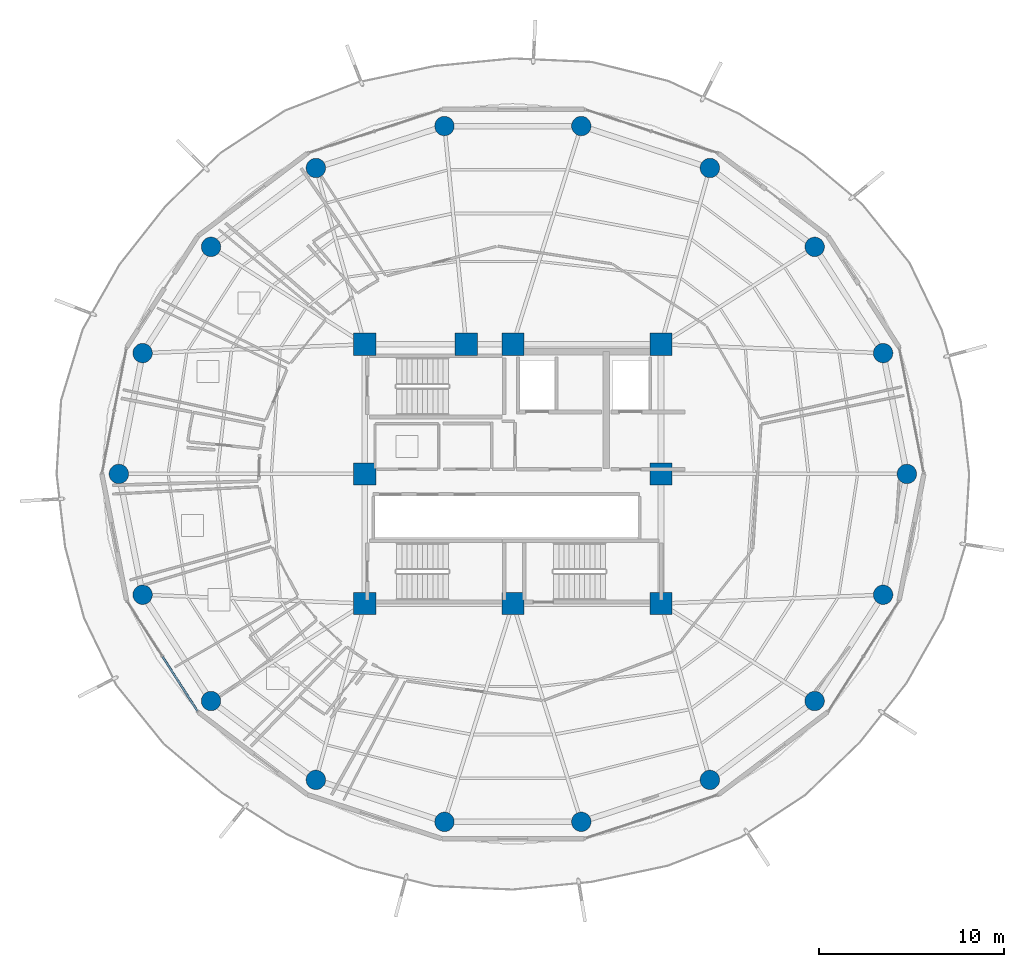
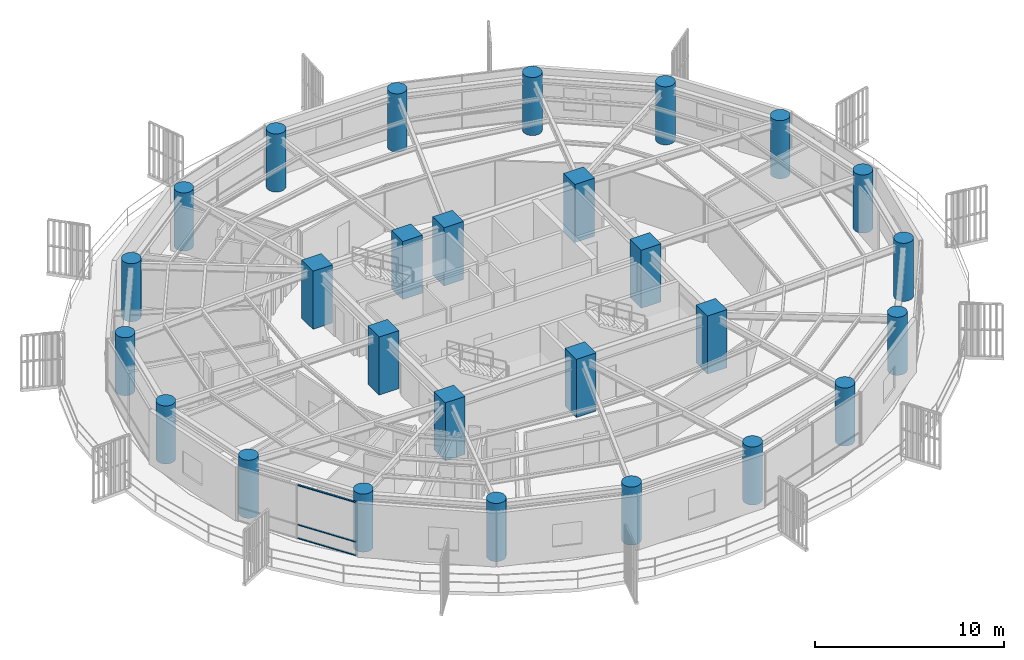
# One storey, part 1 of 31: 27 columns, 3 members, 1 element without a shape of its own.
"""IFC4 building model written with IfcOpenShell, lengths in metres."""

from ifc_helpers import new_model, si_unit, direction, frame, origin, origin_2d, place, context, subcontext, project, spatial, rectangle, hollow_rectangle, circle, extrude, material, layer, layer_set, material_profile, profile_set, type_object, element, aggregate, save


model = new_model("IFC4")

# Units and contexts
model_context = context("Model", 3, precision=1e-05, world=origin(), true_north=direction((0.0, 1.0)))
body_context = subcontext(model_context, "Body", "Model", "MODEL_VIEW")
ifc_project = project(units=[si_unit("LENGTHUNIT", "METRE"), si_unit("AREAUNIT", "SQUARE_METRE"), si_unit("VOLUMEUNIT", "CUBIC_METRE"), si_unit("PLANEANGLEUNIT", "RADIAN"), si_unit("MASSUNIT", "GRAM", prefix="KILO")], contexts=[model_context])

# Site, building, storey
site_placement = place(None, origin())
site = spatial("IfcSite", under=ifc_project, at=site_placement, CompositionType="ELEMENT")
building_placement = place(site_placement, origin())
building = spatial("IfcBuilding", under=site, at=building_placement, Name="Kelanora Arch Commons", CompositionType="ELEMENT")
storey_placement = place(building_placement, frame((0.0, 0.0, 196.949951171875)))
storey = spatial("IfcBuildingStorey", under=building, at=storey_placement, Name="L50", CompositionType="ELEMENT", Elevation=196.949951171875)

# Columns
ifc_material_1 = material(Name="Concrete C50/60", Category="concrete")
ifc_material_profile_1 = material_profile(ifc_material_1, circle(Radius=0.52490234375, at=origin_2d()), Name="RCC1050")
ifc_profile_set_1 = profile_set([ifc_material_profile_1], Name="Concrete C50/60")
column_type_1 = type_object("IfcColumnType", Name="COL-PERIM-Z4", PredefinedType="COLUMN", material=ifc_profile_set_1)
for number, where, z_axis, x_axis, name in (
    (1, (95.280029296875, 58.0, 0.0), (0.0, 0.0, 1.0), (1.0, 0.0, 0.0), "Perimeter Ring Column CP-00 L50"),
    (2, (93.99658203125, 64.525634765625, 0.0), (0.0, 0.0, 1.0), (1.0, 0.0, 0.0), "Perimeter Ring Column CP-02 L50"),
    (3, (90.301513671875, 70.264404296875, 0.0), (0.0, 0.0, 1.0), (1.0, 0.0, 0.0), "Perimeter Ring Column CP-04 L50"),
    (4, (84.639892578125, 74.523681640625, 0.0), (0.0, 0.0, 1.0), (1.0, 0.0, 0.0), "Perimeter Ring Column CP-06 L50"),
    (5, (77.6953125, 76.7900390625, 0.0), (0.0, 0.0, 1.0), (1.0, 0.0, 0.0), "Perimeter Ring Column CP-08 L50"),
    (6, (70.3046875, 76.7900390625, 0.0), (0.0, 0.0, 1.0), (1.0, 0.0, 0.0), "Perimeter Ring Column CP-10 L50"),
    (7, (63.360107421875, 74.523681640625, 0.0), (0.0, 0.0, 1.0), (1.0, 0.0, 0.0), "Perimeter Ring Column CP-12 L50"),
    (8, (57.698486328125, 70.264404296875, 0.0), (0.0, 0.0, 1.0), (1.0, 0.0, 0.0), "Perimeter Ring Column CP-14 L50"),
    (9, (54.00341796875, 64.525634765625, 0.0), (0.0, 0.0, 1.0), (1.0, 0.0, 0.0), "Perimeter Ring Column CP-16 L50"),
    (10, (52.719970703125, 58.0, 0.0), (0.0, 0.0, 1.0), (1.0, 0.0, 0.0), "Perimeter Ring Column CP-18 L50"),
    (11, (54.00341796875, 51.474365234375, 0.0), (0.0, 0.0, 1.0), (1.0, 0.0, 0.0), "Perimeter Ring Column CP-20 L50"),
    (12, (57.698486328125, 45.735595703125, 0.0), (0.0, 0.0, 1.0), (1.0, 0.0, 0.0), "Perimeter Ring Column CP-22 L50"),
    (13, (63.360107421875, 41.476318359375, 0.0), (0.0, 0.0, 1.0), (1.0, 0.0, 0.0), "Perimeter Ring Column CP-24 L50"),
    (14, (70.3046875, 39.2099609375, 0.0), (0.0, 0.0, 1.0), (1.0, 0.0, 0.0), "Perimeter Ring Column CP-26 L50"),
    (15, (77.6953125, 39.2099609375, 0.0), (0.0, 0.0, 1.0), (1.0, 0.0, 0.0), "Perimeter Ring Column CP-28 L50"),
    (16, (84.639892578125, 41.476318359375, 0.0), (0.0, 0.0, 1.0), (1.0, 0.0, 0.0), "Perimeter Ring Column CP-30 L50"),
    (17, (90.301513671875, 45.735595703125, 0.0), (0.0, 0.0, 1.0), (1.0, 0.0, 0.0), "Perimeter Ring Column CP-32 L50"),
    (18, (93.99658203125, 51.474365234375, 0.0), (0.0, 0.0, 1.0), (1.0, 0.0, 0.0), "Perimeter Ring Column CP-34 L50"),
):
    element("IfcColumn", number, at=place(storey_placement, frame(where, z_axis=z_axis, x_axis=x_axis)), inside=storey, type_object=column_type_1, Name=name, PredefinedType="COLUMN", context=body_context, shape_type="SweptSolid", body=[
        extrude(circle(Radius=0.52490234375, at=origin_2d()), origin(), (0.0, 0.0, 1.0), 3.75),
    ])
ifc_material_2 = material(Name="Concrete C60/75", Category="concrete")
ifc_material_profile_2 = material_profile(ifc_material_2, rectangle(XDim=1.199951171875, YDim=1.199951171875, at=origin_2d()), Name="RC1200x1200")
ifc_profile_set_2 = profile_set([ifc_material_profile_2], Name="Concrete C60/75")
column_type_2 = type_object("IfcColumnType", Name="COL-PIL-MID", PredefinedType="PILASTER", material=ifc_profile_set_2)
for number, where, z_axis, x_axis, name in (
    (19, (66.0, 51.0, 0.0), (0.0, 0.0, 1.0), (1.0, 0.0, 0.0), "Core Pilaster Column CP1 L50"),
    (20, (74.0, 51.0, 0.0), (0.0, 0.0, 1.0), (1.0, 0.0, 0.0), "Core Pilaster Column CP2 L50"),
    (21, (82.0, 51.0, 0.0), (0.0, 0.0, 1.0), (1.0, 0.0, 0.0), "Core Pilaster Column CP3 L50"),
    (22, (82.0, 58.0, 0.0), (0.0, 0.0, 1.0), (1.0, 0.0, 0.0), "Core Pilaster Column CP4 L50"),
    (23, (82.0, 65.0, 0.0), (0.0, 0.0, 1.0), (1.0, 0.0, 0.0), "Core Pilaster Column CP5 L50"),
    (24, (74.0, 65.0, 0.0), (0.0, 0.0, 1.0), (1.0, 0.0, 0.0), "Core Pilaster Column CP6 L50"),
    (25, (71.47998046875, 65.0, 0.0), (0.0, 0.0, 1.0), (1.0, 0.0, 0.0), "Core Pilaster Column CP9 L50"),
    (26, (66.0, 65.0, 0.0), (0.0, 0.0, 1.0), (1.0, 0.0, 0.0), "Core Pilaster Column CP7 L50"),
    (27, (66.0, 58.0, 0.0), (0.0, 0.0, 1.0), (1.0, 0.0, 0.0), "Core Pilaster Column CP8 L50"),
):
    element("IfcColumn", number, at=place(storey_placement, frame(where, z_axis=z_axis, x_axis=x_axis)), inside=storey, type_object=column_type_2, Name=name, PredefinedType="PILASTER", context=body_context, shape_type="SweptSolid", body=[
        extrude(rectangle(XDim=1.199951171875, YDim=1.199951171875, at=origin_2d()), origin(), (0.0, 0.0, 1.0), 3.75),
    ])

# Curtain wall, members
ifc_material_3 = material(Name="Terracotta ceramic-fritted low-E glass and aluminium", Category="masonry")
ifc_layer = layer(ifc_material_3, 0.175048828125)
ifc_layer_set = layer_set([ifc_layer], Name="Terracotta ceramic-fritted low-E glass and aluminium")
curtain_wall_type = type_object("IfcCurtainWallType", Name="CW-SYS-02", PredefinedType="NOTDEFINED", material=ifc_layer_set)
curtain_wall_placement = place(storey_placement, origin())
curtain_wall = element("IfcCurtainWall", 28, at=curtain_wall_placement, inside=storey, type_object=curtain_wall_type, Name="Unitised Curtain Wall L50-B10", PredefinedType="NOTDEFINED")
ifc_material_4 = material(Name="Powder-coated aluminium terracotta", Category="masonry")
ifc_material_profile_3 = material_profile(ifc_material_4, hollow_rectangle(XDim=0.1201171875, YDim=0.06005859375, WallThickness=0.0048828125, InnerFilletRadius=0.0048828125, OuterFilletRadius=0.010009765625, at=origin_2d()), Name="CWT120x60")
ifc_profile_set_3 = profile_set([ifc_material_profile_3], Name="Powder-coated aluminium terracotta")
member_type = type_object("IfcMemberType", Name="CWT-STD", PredefinedType="USERDEFINED", material=ifc_profile_set_3)
member_1_placement = place(storey_placement, frame((55.08251953125, 48.126708984375, 0.030029296875), z_axis=(0.53954710894, -0.841955412854, 0.0), x_axis=(0.841955412854, 0.53954710894, 0.0)))
member_1 = element("IfcMember", 29, at=member_1_placement, type_object=member_type, Name="CW-02 transom 2.1", ObjectType="TRANSOM", PredefinedType="USERDEFINED", context=body_context, shape_type="SweptSolid", body=[
    extrude(hollow_rectangle(XDim=0.1201171875, YDim=0.06005859375, WallThickness=0.0048828125, InnerFilletRadius=0.0048828125, OuterFilletRadius=0.010009765625, at=origin_2d()), origin(), (0.0, 0.0, 1.0), 3.467529296875),
])
member_2_placement = place(storey_placement, frame((55.08251953125, 48.126708984375, 0.900146484375), z_axis=(0.53954710894, -0.841955412854, 0.0), x_axis=(0.841955412854, 0.53954710894, 0.0)))
member_2 = element("IfcMember", 30, at=member_2_placement, type_object=member_type, Name="CW-02 transom 2.2", ObjectType="TRANSOM", PredefinedType="USERDEFINED", context=body_context, shape_type="SweptSolid", body=[
    extrude(hollow_rectangle(XDim=0.1201171875, YDim=0.06005859375, WallThickness=0.0048828125, InnerFilletRadius=0.0048828125, OuterFilletRadius=0.010009765625, at=origin_2d()), origin(), (0.0, 0.0, 1.0), 3.467529296875),
])
member_3_placement = place(storey_placement, frame((55.08251953125, 48.126708984375, 3.445068359375), z_axis=(0.53954710894, -0.841955412854, 0.0), x_axis=(0.841955412854, 0.53954710894, 0.0)))
member_3 = element("IfcMember", 31, at=member_3_placement, type_object=member_type, Name="CW-02 transom 2.3", ObjectType="TRANSOM", PredefinedType="USERDEFINED", context=body_context, shape_type="SweptSolid", body=[
    extrude(hollow_rectangle(XDim=0.1201171875, YDim=0.06005859375, WallThickness=0.0048828125, InnerFilletRadius=0.0048828125, OuterFilletRadius=0.010009765625, at=origin_2d()), origin(), (0.0, 0.0, 1.0), 3.467529296875),
])
aggregate(curtain_wall, [member_1, member_2, member_3])

save(model, "model.ifc")
